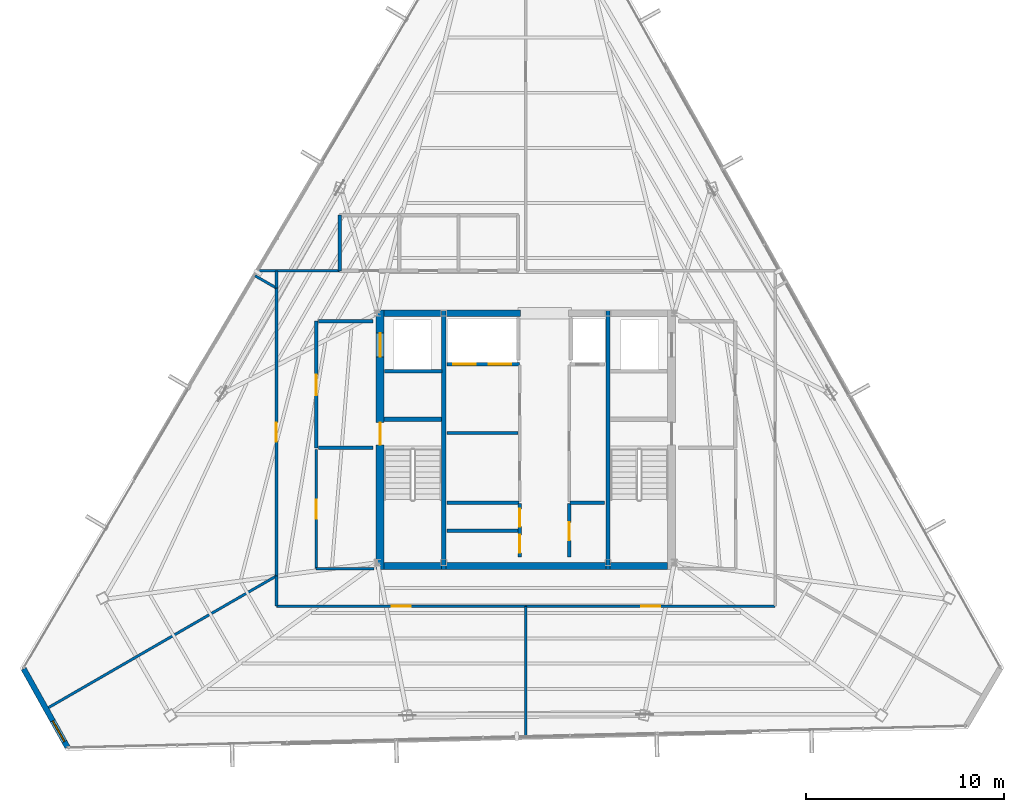
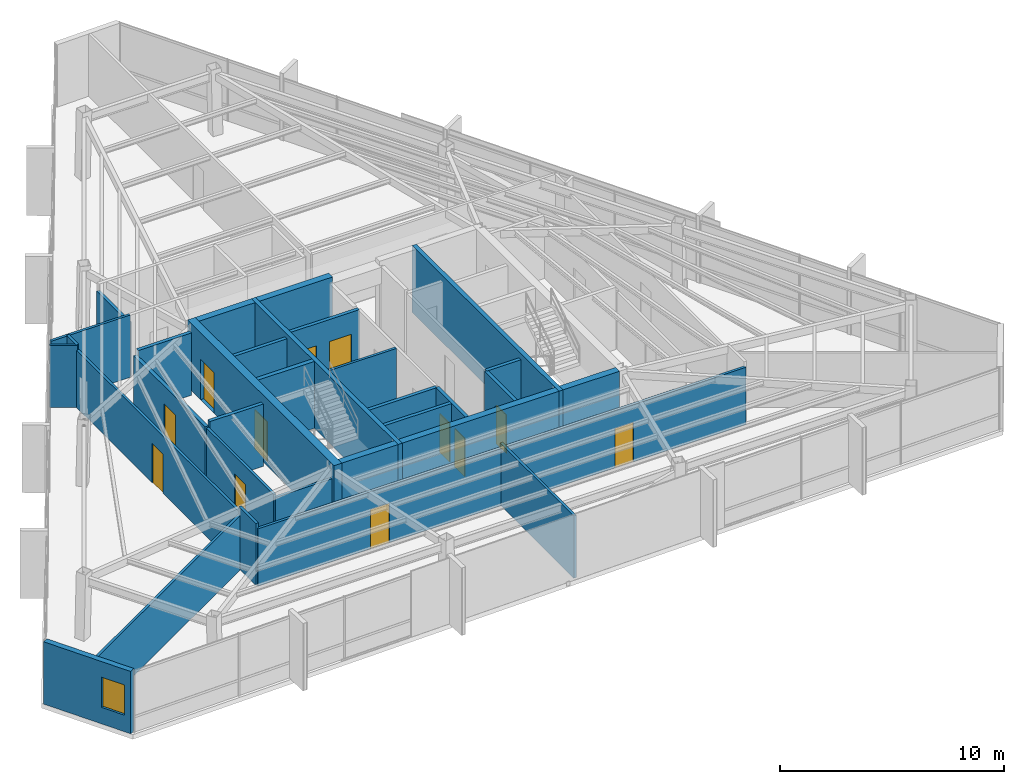
# One storey, part 41 of 45: 33 walls, 12 doors, 1 window, 13 openings.
"""IFC4 building model written with IfcOpenShell, lengths in metres."""

from ifc_helpers import new_model, si_unit, direction, frame, frame_2d, origin, place, context, subcontext, project, spatial, rectangle, extrude, material, layer, layer_set, type_object, element, fill, save


model = new_model("IFC4")

# Units and contexts
model_context = context("Model", 3, precision=1e-05, world=origin(), true_north=direction((0.0, 1.0)))
body_context = subcontext(model_context, "Body", "Model", "MODEL_VIEW")
ifc_project = project(units=[si_unit("LENGTHUNIT", "METRE"), si_unit("AREAUNIT", "SQUARE_METRE"), si_unit("VOLUMEUNIT", "CUBIC_METRE"), si_unit("PLANEANGLEUNIT", "RADIAN"), si_unit("MASSUNIT", "GRAM", prefix="KILO")], contexts=[model_context])

# Site, building, storey
site_placement = place(None, origin())
site = spatial("IfcSite", under=ifc_project, at=site_placement, CompositionType="ELEMENT")
building_placement = place(site_placement, origin())
building = spatial("IfcBuilding", under=site, at=building_placement, Name="Caelisora Broadcast Tower", CompositionType="ELEMENT")
storey_placement = place(building_placement, frame((0.0, 0.0, 273.64990234375)))
storey = spatial("IfcBuildingStorey", under=building, at=storey_placement, Name="L72", CompositionType="ELEMENT", Elevation=273.64990234375)

# Wall, openings, doors
ifc_material_1 = material(Name="Concrete 40 MPa (AS 3600 N40)", Category="concrete")
ifc_layer_1 = layer(ifc_material_1, 0.39990234375, Name="Concrete 40 MPa (AS 3600 N40)")
ifc_layer_set_1 = layer_set([ifc_layer_1], Name="Concrete 40 MPa (AS 3600 N40)")
wall_type_1 = type_object("IfcWallType", Name="CW3", PredefinedType="SHEAR", material=ifc_layer_set_1)
wall_1_placement = place(storey_placement, frame((30.639892578125, 17.050048828125, 0.0), z_axis=(0.0, 0.0, 1.0), x_axis=(0.0, 1.0, 0.0)))
wall_1 = element("IfcWall", 1, at=wall_1_placement, inside=storey, type_object=wall_type_1, Name="L72 core shear wall CW3", PredefinedType="SHEAR", context=body_context, shape_type="SweptSolid", body=[
    extrude(rectangle(XDim=13.125, YDim=0.39990234375, at=frame_2d((6.5625, 0.0))), origin(), (0.0, 0.0, 1.0), 3.650146484375),
])
opening_1_placement = place(wall_1_placement, frame((6.300048828125, 0.0, 0.0)))
opening_1 = element("IfcOpeningElement", 2, at=opening_1_placement, cuts=wall_1, Name="Opening FD04", PredefinedType="OPENING", context=body_context, shape_type="SweptSolid", body=[
    extrude(rectangle(XDim=1.1201171875, YDim=2.14990234375, at=frame_2d((0.56005859375, 1.074951171875))), frame((0.0, 0.2119140625, 0.0), z_axis=(0.0, -1.0, 0.0), x_axis=(1.0, 0.0, 0.0)), (0.0, 0.0, 1.0), 0.423828125),
])
opening_2_placement = place(wall_1_placement, frame((10.75, 0.0, 0.0)))
opening_2 = element("IfcOpeningElement", 3, at=opening_2_placement, cuts=wall_1, Name="Opening LD04", PredefinedType="OPENING", context=body_context, shape_type="SweptSolid", body=[
    extrude(rectangle(XDim=1.199951171875, YDim=2.199951171875, at=frame_2d((0.60009765625, 1.10009765625))), frame((0.0, 0.2119140625, 0.0), z_axis=(0.0, -1.0, 0.0), x_axis=(1.0, 0.0, 0.0)), (0.0, 0.0, 1.0), 0.423828125),
])
ifc_material_2 = material(Name="Pressurised Fire-Isolated Stair Door", Category="steel")
door_type_1 = type_object("IfcDoorType", Name="FD04", OperationType="NOTDEFINED", PredefinedType="DOOR", material=ifc_material_2)
door_1_placement = place(opening_1_placement, origin())
door_1 = element("IfcDoor", 4, at=door_1_placement, inside=storey, type_object=door_type_1, Name="L72 door FD04 (L72-DR-ST1)", OperationType="SINGLE_SWING_LEFT", OverallHeight=2.14990234375, OverallWidth=1.1201171875, PredefinedType="DOOR", context=body_context, shape_type="SweptSolid", body=[
    extrude(rectangle(XDim=1.1201171875, YDim=2.14990234375, at=frame_2d((0.56005859375, 1.074951171875))), frame((0.0, 0.02490234375, 0.0), z_axis=(0.0, -1.0, 0.0), x_axis=(1.0, 0.0, 0.0)), (0.0, 0.0, 1.0), 0.050048828125),
])
fill(opening_1, door_1)
ifc_material_3 = material(Name="Emergency Firefighting Lift Sliding Landing Door", Category="steel")
door_type_2 = type_object("IfcDoorType", Name="LD04", OperationType="NOTDEFINED", PredefinedType="DOOR", material=ifc_material_3)
door_2_placement = place(opening_2_placement, origin())
door_2 = element("IfcDoor", 5, at=door_2_placement, inside=storey, type_object=door_type_2, Name="L72 door LD04 (L72-LD-FFL1)", OperationType="SLIDING_TO_LEFT", OverallHeight=2.199951171875, OverallWidth=1.199951171875, PredefinedType="DOOR", context=body_context, shape_type="SweptSolid", body=[
    extrude(rectangle(XDim=1.199951171875, YDim=2.199951171875, at=frame_2d((0.60009765625, 1.10009765625))), frame((0.0, 0.02490234375, 0.0), z_axis=(0.0, -1.0, 0.0), x_axis=(1.0, 0.0, 0.0)), (0.0, 0.0, 1.0), 0.050048828125),
])
fill(opening_2, door_2)

# Walls
ifc_layer_2 = layer(ifc_material_1, 0.35009765625, Name="Concrete 40 MPa (AS 3600 N40)")
ifc_layer_set_2 = layer_set([ifc_layer_2], Name="Concrete 40 MPa (AS 3600 N40)")
wall_type_2 = type_object("IfcWallType", Name="CW6", PredefinedType="SHEAR", material=ifc_layer_set_2)
wall_2_placement = place(storey_placement, frame((30.840087890625, 17.22509765625, 0.0), z_axis=(0.0, 0.0, 1.0), x_axis=(1.0, 0.0, 0.0)))
element("IfcWall", 6, at=wall_2_placement, inside=storey, type_object=wall_type_2, Name="L72 core shear wall CW6", PredefinedType="SHEAR", context=body_context, shape_type="SweptSolid", body=[
    extrude(rectangle(XDim=2.89990234375, YDim=0.35009765625, at=frame_2d((1.449951171875, 0.0))), origin(), (0.0, 0.0, 1.0), 3.650146484375),
])
wall_3_placement = place(storey_placement, frame((33.9599609375, 17.22509765625, 0.0), z_axis=(0.0, 0.0, 1.0), x_axis=(1.0, 0.0, 0.0)))
element("IfcWall", 7, at=wall_3_placement, inside=storey, type_object=wall_type_2, Name="L72 core shear wall CW6", PredefinedType="SHEAR", context=body_context, shape_type="SweptSolid", body=[
    extrude(rectangle(XDim=8.080078125, YDim=0.35009765625, at=frame_2d((4.0400390625, 0.0))), origin(), (0.0, 0.0, 1.0), 3.650146484375),
])
for number, where, z_axis, x_axis, name in (
    (8, (42.260009765625, 17.22509765625, 0.0), (0.0, 0.0, 1.0), (1.0, 0.0, 0.0), "L72 core shear wall CW6"),
    (9, (30.840087890625, 30.0, 0.0), (0.0, 0.0, 1.0), (1.0, 0.0, 0.0), "L72 core shear wall CW6"),
):
    element("IfcWall", number, at=place(storey_placement, frame(where, z_axis=z_axis, x_axis=x_axis)), inside=storey, type_object=wall_type_2, Name=name, PredefinedType="SHEAR", context=body_context, shape_type="SweptSolid", body=[
        extrude(rectangle(XDim=2.89990234375, YDim=0.35009765625, at=frame_2d((1.449951171875, 0.0))), origin(), (0.0, 0.0, 1.0), 3.650146484375),
    ])
wall_4_placement = place(storey_placement, frame((33.9599609375, 30.0, 0.0), z_axis=(0.0, 0.0, 1.0), x_axis=(1.0, 0.0, 0.0)))
element("IfcWall", 10, at=wall_4_placement, inside=storey, type_object=wall_type_2, Name="L72 core shear wall CW6", PredefinedType="SHEAR", context=body_context, shape_type="SweptSolid", body=[
    extrude(rectangle(XDim=3.780029296875, YDim=0.35009765625, at=frame_2d((1.89013671875, 0.0))), origin(), (0.0, 0.0, 1.0), 3.650146484375),
])
ifc_material_4 = material(Name="Concrete 50 MPa (AS 3600 S50)", Category="concrete")
ifc_layer_3 = layer(ifc_material_4, 0.219970703125, Name="Concrete 50 MPa (AS 3600 S50)")
ifc_layer_set_3 = layer_set([ifc_layer_3], Name="Concrete 50 MPa (AS 3600 S50)")
wall_type_3 = type_object("IfcWallType", Name="CW7", PredefinedType="SHEAR", material=ifc_layer_set_3)
for number, where, z_axis, x_axis, name in (
    (11, (33.85009765625, 17.050048828125, 0.0), (0.0, 0.0, 1.0), (0.0, 1.0, 0.0), "L72 core shear wall CW7"),
    (12, (42.14990234375, 17.050048828125, 0.0), (0.0, 0.0, 1.0), (0.0, 1.0, 0.0), "L72 core shear wall CW7"),
):
    element("IfcWall", number, at=place(storey_placement, frame(where, z_axis=z_axis, x_axis=x_axis)), inside=storey, type_object=wall_type_3, Name=name, PredefinedType="SHEAR", context=body_context, shape_type="SweptSolid", body=[
        extrude(rectangle(XDim=13.125, YDim=0.219970703125, at=frame_2d((6.5625, 0.0))), origin(), (0.0, 0.0, 1.0), 3.650146484375),
    ])
wall_5_placement = place(storey_placement, frame((30.840087890625, 24.639892578125, 0.0), z_axis=(0.0, 0.0, 1.0), x_axis=(1.0, 0.0, 0.0)))
element("IfcWall", 13, at=wall_5_placement, inside=storey, type_object=wall_type_3, Name="L72 core shear wall CW7", PredefinedType="SHEAR", context=body_context, shape_type="SweptSolid", body=[
    extrude(rectangle(XDim=2.89990234375, YDim=0.219970703125, at=frame_2d((1.449951171875, 0.0))), origin(), (0.0, 0.0, 1.0), 3.650146484375),
])

# Wall, opening, window
ifc_material_5 = material(Name="Insulated Terracotta Spandrel Wall System", Category="masonry")
ifc_layer_4 = layer(ifc_material_5, 0.280029296875, Name="Insulated Terracotta Spandrel Wall System")
ifc_layer_set_4 = layer_set([ifc_layer_4], Name="Insulated Terracotta Spandrel Wall System")
wall_type_4 = type_object("IfcWallType", Name="EW1", PredefinedType="STANDARD", material=ifc_layer_set_4)
wall_6_placement = place(storey_placement, frame((14.83935546875, 8.080078125, 0.0), z_axis=(0.0, 0.0, 1.0), x_axis=(-0.487672815046, 0.873026474665, 0.0)))
wall_6 = element("IfcWall", 14, at=wall_6_placement, inside=storey, type_object=wall_type_4, Name="L72 exterior envelope wall EW1", PredefinedType="STANDARD", context=body_context, shape_type="SweptSolid", body=[
    extrude(rectangle(XDim=4.53125, YDim=0.280029296875, at=frame_2d((2.265625, 0.0))), origin(), (0.0, 0.0, 1.0), 3.400146484375),
])
opening_3_placement = place(wall_6_placement, frame((0.320068359375, 0.0, 0.89990234375)))
opening_3 = element("IfcOpeningElement", 15, at=opening_3_placement, cuts=wall_6, Name="Opening W03", PredefinedType="OPENING", context=body_context, shape_type="SweptSolid", body=[
    extrude(rectangle(XDim=1.199951171875, YDim=1.64990234375, at=frame_2d((0.60009765625, 0.824951171875))), frame((0.0, 0.152099609375, 0.0), z_axis=(0.0, -1.0, 0.0), x_axis=(1.0, 0.0, 0.0)), (0.0, 0.0, 1.0), 0.303955078125),
])
ifc_material_6 = material(Name="Double Glazed Corner Vision Window", Category="glass")
window_type = type_object("IfcWindowType", Name="W03", PartitioningType="SINGLE_PANEL", PredefinedType="WINDOW", material=ifc_material_6)
window_placement = place(opening_3_placement, origin())
window = element("IfcWindow", 16, at=window_placement, inside=storey, type_object=window_type, Name="L72 window W03 (L72-WN-CH4)", OverallHeight=1.64990234375, OverallWidth=1.199951171875, PartitioningType="SINGLE_PANEL", PredefinedType="WINDOW", context=body_context, shape_type="SweptSolid", body=[
    extrude(rectangle(XDim=1.199951171875, YDim=1.64990234375, at=frame_2d((0.60009765625, 0.824951171875))), frame((0.0, 0.030029296875, 0.0), z_axis=(0.0, -1.0, 0.0), x_axis=(1.0, 0.0, 0.0)), (0.0, 0.0, 1.0), 0.06005859375),
])
fill(opening_3, window)

# Wall, openings, doors
ifc_material_7 = material(Name="Fire-Rated Gypsum Shaft and Compartment Wall", Category="gypsum")
ifc_layer_5 = layer(ifc_material_7, 0.179931640625, Name="Fire-Rated Gypsum Shaft and Compartment Wall")
ifc_layer_set_5 = layer_set([ifc_layer_5], Name="Fire-Rated Gypsum Shaft and Compartment Wall")
wall_type_5 = type_object("IfcWallType", Name="PW2", PredefinedType="PARTITIONING", material=ifc_layer_set_5)
wall_7_placement = place(storey_placement, frame((34.02001953125, 27.419921875, 0.0), z_axis=(0.0, 0.0, 1.0), x_axis=(1.0, 0.0, 0.0)))
wall_7 = element("IfcWall", 17, at=wall_7_placement, inside=storey, type_object=wall_type_5, Name="L72 fire compartment wall PW2", PredefinedType="PARTITIONING", context=body_context, shape_type="SweptSolid", body=[
    extrude(rectangle(XDim=3.659912109375, YDim=0.179931640625, at=frame_2d((1.830078125, 0.0))), origin(), (0.0, 0.0, 1.0), 3.400146484375),
])
opening_4_placement = place(wall_7_placement, frame((0.300048828125, 0.0, 0.0)))
opening_4 = element("IfcOpeningElement", 18, at=opening_4_placement, cuts=wall_7, Name="Opening LD02", PredefinedType="OPENING", context=body_context, shape_type="SweptSolid", body=[
    extrude(rectangle(XDim=1.14990234375, YDim=2.199951171875, at=frame_2d((0.574951171875, 1.10009765625))), frame((0.0, 0.10205078125, 0.0), z_axis=(0.0, -1.0, 0.0), x_axis=(1.0, 0.0, 0.0)), (0.0, 0.0, 1.0), 0.203857421875),
])
opening_5_placement = place(wall_7_placement, frame((2.10009765625, 0.0, 0.0)))
opening_5 = element("IfcOpeningElement", 19, at=opening_5_placement, cuts=wall_7, Name="Opening LD02", PredefinedType="OPENING", context=body_context, shape_type="SweptSolid", body=[
    extrude(rectangle(XDim=1.14990234375, YDim=2.199951171875, at=frame_2d((0.574951171875, 1.10009765625))), frame((0.0, 0.10205078125, 0.0), z_axis=(0.0, -1.0, 0.0), x_axis=(1.0, 0.0, 0.0)), (0.0, 0.0, 1.0), 0.203857421875),
])
ifc_material_8 = material(Name="High-Speed Express Lift Sliding Landing Door", Category="steel")
door_type_3 = type_object("IfcDoorType", Name="LD02", OperationType="NOTDEFINED", PredefinedType="DOOR", material=ifc_material_8)
door_3_placement = place(opening_4_placement, origin())
door_3 = element("IfcDoor", 20, at=door_3_placement, inside=storey, type_object=door_type_3, Name="L72 door LD02 (L72-LD-PLH1)", OperationType="SLIDING_TO_RIGHT", OverallHeight=2.199951171875, OverallWidth=1.14990234375, PredefinedType="DOOR", context=body_context, shape_type="SweptSolid", body=[
    extrude(rectangle(XDim=1.14990234375, YDim=2.199951171875, at=frame_2d((0.574951171875, 1.10009765625))), frame((0.0, 0.02490234375, 0.0), z_axis=(0.0, -1.0, 0.0), x_axis=(1.0, 0.0, 0.0)), (0.0, 0.0, 1.0), 0.050048828125),
])
fill(opening_4, door_3)
door_4_placement = place(opening_5_placement, origin())
door_4 = element("IfcDoor", 21, at=door_4_placement, inside=storey, type_object=door_type_3, Name="L72 door LD02 (L72-LD-PLH2)", OperationType="SLIDING_TO_LEFT", OverallHeight=2.199951171875, OverallWidth=1.14990234375, PredefinedType="DOOR", context=body_context, shape_type="SweptSolid", body=[
    extrude(rectangle(XDim=1.14990234375, YDim=2.199951171875, at=frame_2d((0.574951171875, 1.10009765625))), frame((0.0, 0.02490234375, 0.0), z_axis=(0.0, -1.0, 0.0), x_axis=(1.0, 0.0, 0.0)), (0.0, 0.0, 1.0), 0.050048828125),
])
fill(opening_5, door_4)

# Wall, opening, door
wall_8_placement = place(storey_placement, frame((27.419921875, 23.199951171875, 0.0), z_axis=(0.0, 0.0, 1.0), x_axis=(0.0, 1.0, 0.0)))
wall_8 = element("IfcWall", 22, at=wall_8_placement, inside=storey, type_object=wall_type_5, Name="L72 fire compartment wall PW2", PredefinedType="PARTITIONING", context=body_context, shape_type="SweptSolid", body=[
    extrude(rectangle(XDim=6.400146484375, YDim=0.179931640625, at=frame_2d((3.2001953125, 0.0))), origin(), (0.0, 0.0, 1.0), 3.12890625),
])
opening_6_placement = place(wall_8_placement, frame((2.64990234375, 0.0, 0.0)))
opening_6 = element("IfcOpeningElement", 23, at=opening_6_placement, cuts=wall_8, Name="Opening FD02", PredefinedType="OPENING", context=body_context, shape_type="SweptSolid", body=[
    extrude(rectangle(XDim=1.050048828125, YDim=2.14990234375, at=frame_2d((0.52490234375, 1.074951171875))), frame((0.0, 0.10205078125, 0.0), z_axis=(0.0, -1.0, 0.0), x_axis=(1.0, 0.0, 0.0)), (0.0, 0.0, 1.0), 0.203857421875),
])
ifc_material_9 = material(Name="Single-Leaf Steel Fire Lobby Door", Category="steel")
door_type_4 = type_object("IfcDoorType", Name="FD02", OperationType="NOTDEFINED", PredefinedType="DOOR", material=ifc_material_9)
door_5_placement = place(opening_6_placement, origin())
door_5 = element("IfcDoor", 24, at=door_5_placement, inside=storey, type_object=door_type_4, Name="L72 door FD02 (L72-DR-P01D1)", OperationType="SINGLE_SWING_LEFT", OverallHeight=2.14990234375, OverallWidth=1.050048828125, PredefinedType="DOOR", context=body_context, shape_type="SweptSolid", body=[
    extrude(rectangle(XDim=1.050048828125, YDim=2.14990234375, at=frame_2d((0.52490234375, 1.074951171875))), frame((0.0, 0.02490234375, 0.0), z_axis=(0.0, -1.0, 0.0), x_axis=(1.0, 0.0, 0.0)), (0.0, 0.0, 1.0), 0.050048828125),
])
fill(opening_6, door_5)

# Walls
for number, where, z_axis, x_axis, name in (
    (25, (27.52001953125, 23.199951171875, 0.0), (0.0, 0.0, 1.0), (1.0, 0.0, 0.0), "L72 fire compartment wall PW2"),
    (26, (27.52001953125, 29.60009765625, 0.0), (0.0, 0.0, 1.0), (1.0, 0.0, 0.0), "L72 fire compartment wall PW2"),
):
    element("IfcWall", number, at=place(storey_placement, frame(where, z_axis=z_axis, x_axis=x_axis)), inside=storey, type_object=wall_type_5, Name=name, PredefinedType="PARTITIONING", context=body_context, shape_type="SweptSolid", body=[
        extrude(rectangle(XDim=2.760009765625, YDim=0.179931640625, at=frame_2d((1.3798828125, 0.0))), origin(), (0.0, 0.0, 1.0), 3.400146484375),
    ])
wall_9_placement = place(storey_placement, frame((30.860107421875, 27.070068359375, 0.0), z_axis=(0.0, 0.0, 1.0), x_axis=(1.0, 0.0, 0.0)))
element("IfcWall", 27, at=wall_9_placement, inside=storey, type_object=wall_type_5, Name="L72 fire compartment wall PW2", PredefinedType="PARTITIONING", context=body_context, shape_type="SweptSolid", body=[
    extrude(rectangle(XDim=2.89990234375, YDim=0.179931640625, at=frame_2d((1.449951171875, 0.0))), origin(), (0.0, 0.0, 1.0), 3.400146484375),
])
wall_10_placement = place(storey_placement, frame((34.02001953125, 20.419921875, 0.0), z_axis=(0.0, 0.0, 1.0), x_axis=(1.0, 0.0, 0.0)))
element("IfcWall", 28, at=wall_10_placement, inside=storey, type_object=wall_type_5, Name="L72 fire compartment wall PW2", PredefinedType="PARTITIONING", context=body_context, shape_type="SweptSolid", body=[
    extrude(rectangle(XDim=3.639892578125, YDim=0.179931640625, at=frame_2d((1.81982421875, 0.0))), origin(), (0.0, 0.0, 1.0), 3.400146484375),
])
wall_11_placement = place(storey_placement, frame((40.219970703125, 20.419921875, 0.0), z_axis=(0.0, 0.0, 1.0), x_axis=(1.0, 0.0, 0.0)))
element("IfcWall", 29, at=wall_11_placement, inside=storey, type_object=wall_type_5, Name="L72 fire compartment wall PW2", PredefinedType="PARTITIONING", context=body_context, shape_type="SweptSolid", body=[
    extrude(rectangle(XDim=1.760009765625, YDim=0.179931640625, at=frame_2d((0.8798828125, 0.0))), origin(), (0.0, 0.0, 1.0), 3.400146484375),
])
wall_12_placement = place(storey_placement, frame((34.02001953125, 19.02001953125, 0.0), z_axis=(0.0, 0.0, 1.0), x_axis=(1.0, 0.0, 0.0)))
element("IfcWall", 30, at=wall_12_placement, inside=storey, type_object=wall_type_5, Name="L72 fire compartment wall PW2", PredefinedType="PARTITIONING", context=body_context, shape_type="SweptSolid", body=[
    extrude(rectangle(XDim=3.580078125, YDim=0.179931640625, at=frame_2d((1.7900390625, 0.0))), origin(), (0.0, 0.0, 1.0), 3.400146484375),
])

# Wall, openings, doors
wall_13_placement = place(storey_placement, frame((37.679931640625, 17.679931640625, 0.0), z_axis=(0.0, 0.0, 1.0), x_axis=(0.0, 1.0, 0.0)))
wall_13 = element("IfcWall", 31, at=wall_13_placement, inside=storey, type_object=wall_type_5, Name="L72 fire compartment wall PW2", PredefinedType="PARTITIONING", context=body_context, shape_type="SweptSolid", body=[
    extrude(rectangle(XDim=2.699951171875, YDim=0.179931640625, at=frame_2d((1.35009765625, 0.0))), origin(), (0.0, 0.0, 1.0), 3.400146484375),
])
opening_7_placement = place(wall_13_placement, frame((0.219970703125, 0.0, 0.0)))
opening_7 = element("IfcOpeningElement", 32, at=opening_7_placement, cuts=wall_13, Name="Opening FD03", PredefinedType="OPENING", context=body_context, shape_type="SweptSolid", body=[
    extrude(rectangle(XDim=0.89990234375, YDim=2.10009765625, at=frame_2d((0.449951171875, 1.050048828125))), frame((0.0, 0.10205078125, 0.0), z_axis=(0.0, -1.0, 0.0), x_axis=(1.0, 0.0, 0.0)), (0.0, 0.0, 1.0), 0.203857421875),
])
opening_8_placement = place(wall_13_placement, frame((1.5400390625, 0.0, 0.0)))
opening_8 = element("IfcOpeningElement", 33, at=opening_8_placement, cuts=wall_13, Name="Opening FD03", PredefinedType="OPENING", context=body_context, shape_type="SweptSolid", body=[
    extrude(rectangle(XDim=0.89990234375, YDim=2.10009765625, at=frame_2d((0.449951171875, 1.050048828125))), frame((0.0, 0.10205078125, 0.0), z_axis=(0.0, -1.0, 0.0), x_axis=(1.0, 0.0, 0.0)), (0.0, 0.0, 1.0), 0.203857421875),
])
ifc_material_10 = material(Name="Single-Leaf Steel Riser Fire Access Door", Category="steel")
door_type_5 = type_object("IfcDoorType", Name="FD03", OperationType="NOTDEFINED", PredefinedType="DOOR", material=ifc_material_10)
door_6_placement = place(opening_7_placement, origin())
door_6 = element("IfcDoor", 34, at=door_6_placement, inside=storey, type_object=door_type_5, Name="L72 door FD03 (L72-DR-P15D1)", OperationType="SINGLE_SWING_RIGHT", OverallHeight=2.10009765625, OverallWidth=0.89990234375, PredefinedType="DOOR", context=body_context, shape_type="SweptSolid", body=[
    extrude(rectangle(XDim=0.89990234375, YDim=2.10009765625, at=frame_2d((0.449951171875, 1.050048828125))), frame((0.0, 0.02490234375, 0.0), z_axis=(0.0, -1.0, 0.0), x_axis=(1.0, 0.0, 0.0)), (0.0, 0.0, 1.0), 0.050048828125),
])
fill(opening_7, door_6)
door_7_placement = place(opening_8_placement, origin())
door_7 = element("IfcDoor", 35, at=door_7_placement, inside=storey, type_object=door_type_5, Name="L72 door FD03 (L72-DR-P15D2)", OperationType="SINGLE_SWING_LEFT", OverallHeight=2.10009765625, OverallWidth=0.89990234375, PredefinedType="DOOR", context=body_context, shape_type="SweptSolid", body=[
    extrude(rectangle(XDim=0.89990234375, YDim=2.10009765625, at=frame_2d((0.449951171875, 1.050048828125))), frame((0.0, 0.02490234375, 0.0), z_axis=(0.0, -1.0, 0.0), x_axis=(1.0, 0.0, 0.0)), (0.0, 0.0, 1.0), 0.050048828125),
])
fill(opening_8, door_7)

# Wall, opening, door
wall_14_placement = place(storey_placement, frame((40.199951171875, 17.679931640625, 0.0), z_axis=(0.0, 0.0, 1.0), x_axis=(0.0, 1.0, 0.0)))
wall_14 = element("IfcWall", 36, at=wall_14_placement, inside=storey, type_object=wall_type_5, Name="L72 fire compartment wall PW2", PredefinedType="PARTITIONING", context=body_context, shape_type="SweptSolid", body=[
    extrude(rectangle(XDim=2.699951171875, YDim=0.179931640625, at=frame_2d((1.35009765625, 0.0))), origin(), (0.0, 0.0, 1.0), 3.400146484375),
])
opening_9_placement = place(wall_14_placement, frame((0.85009765625, 0.0, 0.0)))
opening_9 = element("IfcOpeningElement", 37, at=opening_9_placement, cuts=wall_14, Name="Opening FD03", PredefinedType="OPENING", context=body_context, shape_type="SweptSolid", body=[
    extrude(rectangle(XDim=0.89990234375, YDim=2.10009765625, at=frame_2d((0.449951171875, 1.050048828125))), frame((0.0, 0.10205078125, 0.0), z_axis=(0.0, -1.0, 0.0), x_axis=(1.0, 0.0, 0.0)), (0.0, 0.0, 1.0), 0.203857421875),
])
door_8_placement = place(opening_9_placement, origin())
door_8 = element("IfcDoor", 38, at=door_8_placement, inside=storey, type_object=door_type_5, Name="L72 door FD03 (L72-DR-P16D1)", OperationType="SINGLE_SWING_RIGHT", OverallHeight=2.10009765625, OverallWidth=0.89990234375, PredefinedType="DOOR", context=body_context, shape_type="SweptSolid", body=[
    extrude(rectangle(XDim=0.89990234375, YDim=2.10009765625, at=frame_2d((0.449951171875, 1.050048828125))), frame((0.0, 0.02490234375, 0.0), z_axis=(0.0, -1.0, 0.0), x_axis=(1.0, 0.0, 0.0)), (0.0, 0.0, 1.0), 0.050048828125),
])
fill(opening_9, door_8)

# Wall
ifc_material_11 = material(Name="Acoustic Steel-Stud Plasterboard Partition", Category="gypsum")
ifc_layer_6 = layer(ifc_material_11, 0.1298828125, Name="Acoustic Steel-Stud Plasterboard Partition")
ifc_layer_set_6 = layer_set([ifc_layer_6], Name="Acoustic Steel-Stud Plasterboard Partition")
wall_type_6 = type_object("IfcWallType", Name="PW3", PredefinedType="PARTITIONING", material=ifc_layer_set_6)
wall_15_placement = place(storey_placement, frame((34.02001953125, 23.949951171875, 0.0), z_axis=(0.0, 0.0, 1.0), x_axis=(1.0, 0.0, 0.0)))
element("IfcWall", 39, at=wall_15_placement, inside=storey, type_object=wall_type_6, Name="L72 internal partition PW3", PredefinedType="PARTITIONING", context=body_context, shape_type="SweptSolid", body=[
    extrude(rectangle(XDim=3.580078125, YDim=0.1298828125, at=frame_2d((1.7900390625, 0.0))), origin(), (0.0, 0.0, 1.0), 3.400146484375),
])

# Wall, opening, door
wall_16_placement = place(storey_placement, frame((25.39990234375, 16.735107421875, 0.0), z_axis=(0.0, 0.0, 1.0), x_axis=(0.0, 1.0, 0.0)))
wall_16 = element("IfcWall", 40, at=wall_16_placement, inside=storey, type_object=wall_type_6, Name="L72 internal partition PW3", PredefinedType="PARTITIONING", context=body_context, shape_type="SweptSolid", body=[
    extrude(rectangle(XDim=14.52978515625, YDim=0.1298828125, at=frame_2d((7.264892578125, 0.0))), origin(), (0.0, 0.0, 1.0), 3.12890625),
])
opening_10_placement = place(wall_16_placement, frame((6.784912109375, 0.0, 0.0)))
opening_10 = element("IfcOpeningElement", 41, at=opening_10_placement, cuts=wall_16, Name="Opening D01", PredefinedType="OPENING", context=body_context, shape_type="SweptSolid", body=[
    extrude(rectangle(XDim=0.9599609375, YDim=2.14990234375, at=frame_2d((0.47998046875, 1.074951171875))), frame((0.0, 0.076904296875, 0.0), z_axis=(0.0, -1.0, 0.0), x_axis=(1.0, 0.0, 0.0)), (0.0, 0.0, 1.0), 0.15380859375),
])
ifc_material_12 = material(Name="Solid-Core Timber Acoustic Office Door", Category="wood")
door_type_6 = type_object("IfcDoorType", Name="D01", OperationType="NOTDEFINED", PredefinedType="DOOR", material=ifc_material_12)
door_9_placement = place(opening_10_placement, origin())
door_9 = element("IfcDoor", 42, at=door_9_placement, inside=storey, type_object=door_type_6, Name="L72 door D01 (L72-DR-P29D1)", OperationType="SINGLE_SWING_RIGHT", OverallHeight=2.14990234375, OverallWidth=0.9599609375, PredefinedType="DOOR", context=body_context, shape_type="SweptSolid", body=[
    extrude(rectangle(XDim=0.9599609375, YDim=2.14990234375, at=frame_2d((0.47998046875, 1.074951171875))), frame((0.0, 0.02490234375, 0.0), z_axis=(0.0, -1.0, 0.0), x_axis=(1.0, 0.0, 0.0)), (0.0, 0.0, 1.0), 0.050048828125),
])
fill(opening_10, door_9)

# Wall
wall_17_placement = place(storey_placement, frame((13.75830078125, 10.005126953125, 0.0), z_axis=(0.0, 0.0, 1.0), x_axis=(0.865932039205, 0.500161677339, 0.0)))
element("IfcWall", 43, at=wall_17_placement, inside=storey, type_object=wall_type_6, Name="L72 internal partition PW3", PredefinedType="PARTITIONING", context=body_context, shape_type="SweptSolid", body=[
    extrude(rectangle(XDim=13.439453125, YDim=0.1298828125, at=frame_2d((6.7197265625, 0.0))), origin(), (0.0, 0.0, 1.0), 2.985107421875),
])

# Wall, opening, door
wall_18_placement = place(storey_placement, frame((38.0048828125, 15.199951171875, 0.0), z_axis=(0.0, 0.0, 1.0), x_axis=(1.0, 0.0, 0.0)))
wall_18 = element("IfcWall", 44, at=wall_18_placement, inside=storey, type_object=wall_type_6, Name="L72 internal partition PW3", PredefinedType="PARTITIONING", context=body_context, shape_type="SweptSolid", body=[
    extrude(rectangle(XDim=12.590087890625, YDim=0.1298828125, at=frame_2d((6.294921875, 0.0))), origin(), (0.0, 0.0, 1.0), 3.12890625),
])
opening_11_placement = place(wall_18_placement, frame((5.81494140625, 0.0, 0.0)))
opening_11 = element("IfcOpeningElement", 45, at=opening_11_placement, cuts=wall_18, Name="Opening D01", PredefinedType="OPENING", context=body_context, shape_type="SweptSolid", body=[
    extrude(rectangle(XDim=0.9599609375, YDim=2.14990234375, at=frame_2d((0.47998046875, 1.074951171875))), frame((0.0, 0.076904296875, 0.0), z_axis=(0.0, -1.0, 0.0), x_axis=(1.0, 0.0, 0.0)), (0.0, 0.0, 1.0), 0.15380859375),
])
door_10_placement = place(opening_11_placement, origin())
door_10 = element("IfcDoor", 46, at=door_10_placement, inside=storey, type_object=door_type_6, Name="L72 door D01 (L72-DR-P32D1)", OperationType="SINGLE_SWING_RIGHT", OverallHeight=2.14990234375, OverallWidth=0.9599609375, PredefinedType="DOOR", context=body_context, shape_type="SweptSolid", body=[
    extrude(rectangle(XDim=0.9599609375, YDim=2.14990234375, at=frame_2d((0.47998046875, 1.074951171875))), frame((0.0, 0.02490234375, 0.0), z_axis=(0.0, -1.0, 0.0), x_axis=(1.0, 0.0, 0.0)), (0.0, 0.0, 1.0), 0.050048828125),
])
fill(opening_11, door_10)

wall_19_placement = place(storey_placement, frame((25.405029296875, 15.199951171875, 0.0), z_axis=(0.0, 0.0, 1.0), x_axis=(1.0, 0.0, 0.0)))
wall_19 = element("IfcWall", 47, at=wall_19_placement, inside=storey, type_object=wall_type_6, Name="L72 internal partition PW3", PredefinedType="PARTITIONING", context=body_context, shape_type="SweptSolid", body=[
    extrude(rectangle(XDim=12.590087890625, YDim=0.1298828125, at=frame_2d((6.294921875, 0.0))), origin(), (0.0, 0.0, 1.0), 3.12890625),
])
opening_12_placement = place(wall_19_placement, frame((5.81494140625, 0.0, 0.0)))
opening_12 = element("IfcOpeningElement", 48, at=opening_12_placement, cuts=wall_19, Name="Opening D01", PredefinedType="OPENING", context=body_context, shape_type="SweptSolid", body=[
    extrude(rectangle(XDim=0.9599609375, YDim=2.14990234375, at=frame_2d((0.47998046875, 1.074951171875))), frame((0.0, 0.076904296875, 0.0), z_axis=(0.0, -1.0, 0.0), x_axis=(1.0, 0.0, 0.0)), (0.0, 0.0, 1.0), 0.15380859375),
])
door_11_placement = place(opening_12_placement, origin())
door_11 = element("IfcDoor", 49, at=door_11_placement, inside=storey, type_object=door_type_6, Name="L72 door D01 (L72-DR-P33D1)", OperationType="SINGLE_SWING_LEFT", OverallHeight=2.14990234375, OverallWidth=0.9599609375, PredefinedType="DOOR", context=body_context, shape_type="SweptSolid", body=[
    extrude(rectangle(XDim=0.9599609375, YDim=2.14990234375, at=frame_2d((0.47998046875, 1.074951171875))), frame((0.0, 0.02490234375, 0.0), z_axis=(0.0, -1.0, 0.0), x_axis=(1.0, 0.0, 0.0)), (0.0, 0.0, 1.0), 0.050048828125),
])
fill(opening_12, door_11)

# Wall
wall_20_placement = place(storey_placement, frame((38.0, 8.60693359375, 0.0), z_axis=(0.0, 0.0, 1.0), x_axis=(0.0, 1.0, 0.0)))
element("IfcWall", 50, at=wall_20_placement, inside=storey, type_object=wall_type_6, Name="L72 internal partition PW3", PredefinedType="PARTITIONING", context=body_context, shape_type="SweptSolid", body=[
    extrude(rectangle(XDim=6.588134765625, YDim=0.1298828125, at=frame_2d((3.2939453125, 0.0))), origin(), (0.0, 0.0, 1.0), 3.400146484375),
])

# Wall, opening, door
wall_21_placement = place(storey_placement, frame((27.39990234375, 17.10498046875, 0.0), z_axis=(0.0, 0.0, 1.0), x_axis=(0.0, 1.0, 0.0)))
wall_21 = element("IfcWall", 51, at=wall_21_placement, inside=storey, type_object=wall_type_6, Name="L72 internal partition PW3", PredefinedType="PARTITIONING", context=body_context, shape_type="SweptSolid", body=[
    extrude(rectangle(XDim=6.0, YDim=0.1298828125, at=frame_2d((3.0, 0.0))), origin(), (0.0, 0.0, 1.0), 3.12890625),
])
opening_13_placement = place(wall_21_placement, frame((2.52001953125, 0.0, 0.0)))
opening_13 = element("IfcOpeningElement", 52, at=opening_13_placement, cuts=wall_21, Name="Opening D01", PredefinedType="OPENING", context=body_context, shape_type="SweptSolid", body=[
    extrude(rectangle(XDim=0.9599609375, YDim=2.14990234375, at=frame_2d((0.47998046875, 1.074951171875))), frame((0.0, 0.076904296875, 0.0), z_axis=(0.0, -1.0, 0.0), x_axis=(1.0, 0.0, 0.0)), (0.0, 0.0, 1.0), 0.15380859375),
])
door_12_placement = place(opening_13_placement, origin())
door_12 = element("IfcDoor", 53, at=door_12_placement, inside=storey, type_object=door_type_6, Name="L72 door D01 (L72-DR-P38D1)", OperationType="SINGLE_SWING_RIGHT", OverallHeight=2.14990234375, OverallWidth=0.9599609375, PredefinedType="DOOR", context=body_context, shape_type="SweptSolid", body=[
    extrude(rectangle(XDim=0.9599609375, YDim=2.14990234375, at=frame_2d((0.47998046875, 1.074951171875))), frame((0.0, 0.02490234375, 0.0), z_axis=(0.0, -1.0, 0.0), x_axis=(1.0, 0.0, 0.0)), (0.0, 0.0, 1.0), 0.050048828125),
])
fill(opening_13, door_12)

# Walls
wall_22_placement = place(storey_placement, frame((24.5009765625, 32.14990234375, 0.0), z_axis=(0.0, 0.0, 1.0), x_axis=(1.0, 0.0, 0.0)))
element("IfcWall", 54, at=wall_22_placement, inside=storey, type_object=wall_type_6, Name="L72 internal partition PW3", PredefinedType="PARTITIONING", context=body_context, shape_type="SweptSolid", body=[
    extrude(rectangle(XDim=4.093994140625, YDim=0.1298828125, at=frame_2d((2.046875, 0.0))), origin(), (0.0, 0.0, 1.0), 3.400146484375),
])
wall_23_placement = place(storey_placement, frame((30.324951171875, 17.10009765625, 0.0), z_axis=(0.0, 0.0, 1.0), x_axis=(-1.0, 0.0, 0.0)))
element("IfcWall", 55, at=wall_23_placement, inside=storey, type_object=wall_type_6, Name="L72 internal partition PW3", PredefinedType="PARTITIONING", context=body_context, shape_type="SweptSolid", body=[
    extrude(rectangle(XDim=2.919921875, YDim=0.1298828125, at=frame_2d((1.4599609375, 0.0))), origin(), (0.0, 0.0, 1.0), 2.985107421875),
])
wall_24_placement = place(storey_placement, frame((25.39990234375, 16.72509765625, 0.0), z_axis=(0.0, 0.0, 1.0), x_axis=(0.0, -1.0, 0.0)))
element("IfcWall", 56, at=wall_24_placement, inside=storey, type_object=wall_type_6, Name="L72 internal partition PW3", PredefinedType="PARTITIONING", context=body_context, shape_type="SweptSolid", body=[
    extrude(rectangle(XDim=1.52001953125, YDim=0.1298828125, at=frame_2d((0.760009765625, 0.0))), origin(), (0.0, 0.0, 1.0), 3.400146484375),
])
wall_25_placement = place(storey_placement, frame((24.322998046875, 31.89208984375, 0.0), z_axis=(0.0, 0.0, 1.0), x_axis=(0.86614949327, -0.499785009086, 0.0)))
element("IfcWall", 57, at=wall_25_placement, inside=storey, type_object=wall_type_6, Name="L72 internal partition PW3", PredefinedType="PARTITIONING", context=body_context, shape_type="SweptSolid", body=[
    extrude(rectangle(XDim=1.23876953125, YDim=0.1298828125, at=frame_2d((0.619384765625, 0.0))), origin(), (0.0, 0.0, 1.0), 3.400146484375),
])
wall_26_placement = place(storey_placement, frame((25.39990234375, 31.27490234375, 0.0), z_axis=(0.0, 0.0, 1.0), x_axis=(0.0, 1.0, 0.0)))
element("IfcWall", 58, at=wall_26_placement, inside=storey, type_object=wall_type_6, Name="L72 internal partition PW3", PredefinedType="PARTITIONING", context=body_context, shape_type="SweptSolid", body=[
    extrude(rectangle(XDim=0.8701171875, YDim=0.1298828125, at=frame_2d((0.43505859375, 0.0))), origin(), (0.0, 0.0, 1.0), 3.400146484375),
])
ifc_material_13 = material(Name="Moisture-Resistant Wet Plumbing Service Wall", Category="gypsum")
ifc_layer_7 = layer(ifc_material_13, 0.159912109375, Name="Moisture-Resistant Wet Plumbing Service Wall")
ifc_layer_set_7 = layer_set([ifc_layer_7], Name="Moisture-Resistant Wet Plumbing Service Wall")
wall_type_7 = type_object("IfcWallType", Name="PW4", PredefinedType="PLUMBINGWALL", material=ifc_layer_set_7)
wall_27_placement = place(storey_placement, frame((28.60009765625, 32.125, 0.0), z_axis=(0.0, 0.0, 1.0), x_axis=(0.0, 1.0, 0.0)))
element("IfcWall", 59, at=wall_27_placement, inside=storey, type_object=wall_type_7, Name="L72 wet plumbing wall PW4", PredefinedType="PLUMBINGWALL", context=body_context, shape_type="SweptSolid", body=[
    extrude(rectangle(XDim=2.85009765625, YDim=0.159912109375, at=frame_2d((1.425048828125, 0.0))), origin(), (0.0, 0.0, 1.0), 2.985107421875),
])

save(model, "model.ifc")
